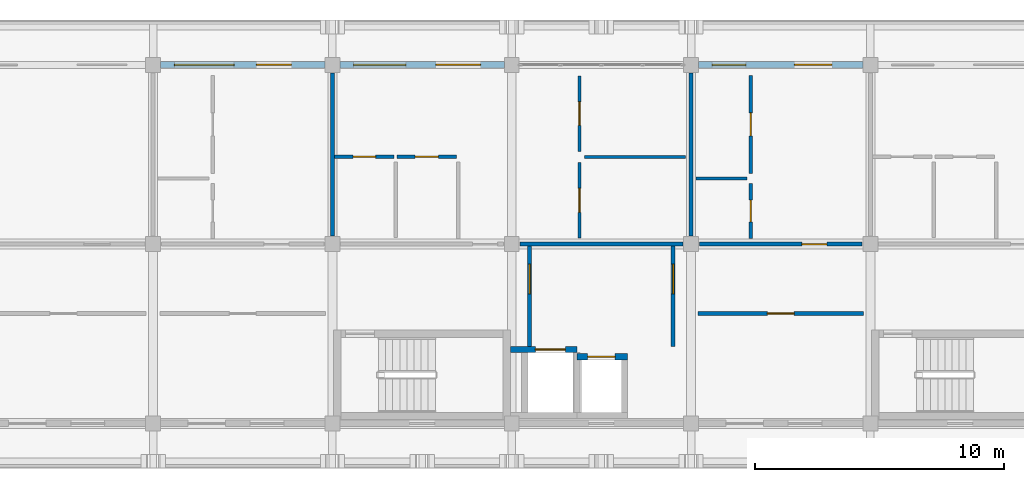
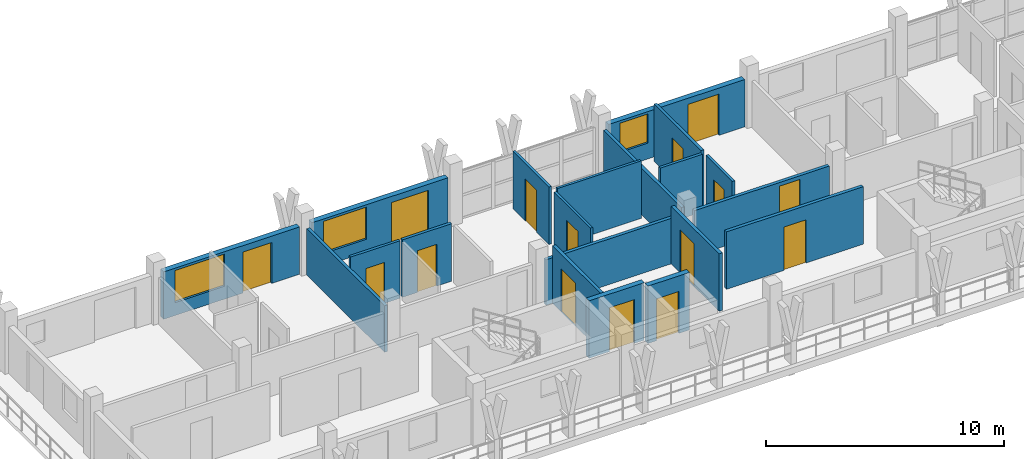
# One storey, part 58 of 78: 20 walls, 15 doors, 3 windows, 18 openings.
"""IFC4 building model written with IfcOpenShell, lengths in metres."""

from ifc_helpers import new_model, si_unit, direction, frame, frame_2d, origin, place, context, subcontext, project, spatial, rectangle, extrude, material, layer, layer_set, type_object, element, fill, save


model = new_model("IFC4")

# Units and contexts
model_context = context("Model", 3, precision=1e-05, world=origin(), true_north=direction((0.0, 1.0)))
body_context = subcontext(model_context, "Body", "Model", "MODEL_VIEW")
ifc_project = project(units=[si_unit("LENGTHUNIT", "METRE"), si_unit("AREAUNIT", "SQUARE_METRE"), si_unit("VOLUMEUNIT", "CUBIC_METRE"), si_unit("PLANEANGLEUNIT", "RADIAN"), si_unit("MASSUNIT", "GRAM", prefix="KILO")], contexts=[model_context])

# Site, building, storey
site_placement = place(None, origin())
site = spatial("IfcSite", under=ifc_project, at=site_placement, CompositionType="ELEMENT")
building_placement = place(site_placement, origin())
building = spatial("IfcBuilding", under=site, at=building_placement, Name="Suanplinth Sawtooth Commons", CompositionType="ELEMENT")
storey_placement = place(building_placement, frame((0.0, 0.0, 15.39990234375)))
storey = spatial("IfcBuildingStorey", under=building, at=storey_placement, Name="L04", CompositionType="ELEMENT", Elevation=15.39990234375)

# Wall, openings, door, window
ifc_material_1 = material(Name="Precast concrete C40/50", Category="concrete")
ifc_layer_1 = layer(ifc_material_1, 0.260009765625, Name="Insulated precast courtyard facade wall 260mm")
ifc_layer_set_1 = layer_set([ifc_layer_1], Name="Precast concrete C40/50")
wall_type_1 = type_object("IfcWallType", Name="W-EX02", PredefinedType="ELEMENTEDWALL", material=ifc_layer_set_1)
wall_1_placement = place(storey_placement, frame((129.89990234375, 122.39990234375, 0.0), z_axis=(0.0, 0.0, 1.0), x_axis=(1.0, 0.0, 0.0)))
wall_1 = element("IfcWall", 1, at=wall_1_placement, inside=storey, type_object=wall_type_1, Name="Facade Wall W-L04-B-N-18-16", PredefinedType="ELEMENTEDWALL", context=body_context, shape_type="SweptSolid", body=[
    extrude(rectangle(XDim=6.60009765625, YDim=0.260009765625, at=frame_2d((3.300048828125, 0.0))), origin(), (0.0, 0.0, 1.0), 2.43017578125),
])
opening_1_placement = place(wall_1_placement, frame((3.85009765625, 0.0, 0.0)))
opening_1 = element("IfcOpeningElement", 2, at=opening_1_placement, cuts=wall_1, Name="Opening ED0339", PredefinedType="OPENING", context=body_context, shape_type="SweptSolid", body=[
    extrude(rectangle(XDim=1.39990234375, YDim=2.10009765625, at=frame_2d((0.699951171875, 1.050048828125))), frame((0.0, 0.14501953125, 0.0), z_axis=(0.0, -1.0, 0.0), x_axis=(1.0, 0.0, 0.0)), (0.0, 0.0, 1.0), 0.289794921875),
])
opening_2_placement = place(wall_1_placement, frame((0.550048828125, 0.0, 0.659912109375)))
opening_2 = element("IfcOpeningElement", 3, at=opening_2_placement, cuts=wall_1, Name="Opening W0437", PredefinedType="OPENING", context=body_context, shape_type="SweptSolid", body=[
    extrude(rectangle(XDim=2.39990234375, YDim=1.64990234375, at=frame_2d((1.199951171875, 0.824951171875))), frame((0.0, 0.14501953125, 0.0), z_axis=(0.0, -1.0, 0.0), x_axis=(1.0, 0.0, 0.0)), (0.0, 0.0, 1.0), 0.289794921875),
])
ifc_material_2 = material(Name="Anodized aluminium and low-E glass", Category="aluminium")
door_type_1 = type_object("IfcDoorType", Name="SD-07", OperationType="SLIDING_TO_RIGHT", PredefinedType="DOOR", material=ifc_material_2)
door_1_placement = place(opening_1_placement, frame((1.39990234375, 0.0, 0.0), z_axis=(0.0, 0.0, 1.0), x_axis=(-1.0, 0.0, 0.0)))
door_1 = element("IfcDoor", 4, at=door_1_placement, inside=storey, type_object=door_type_1, Name="Balcony Sliding Door L04-B-18", OperationType="SLIDING_TO_RIGHT", OverallHeight=2.10009765625, OverallWidth=1.39990234375, PredefinedType="DOOR", context=body_context, shape_type="SweptSolid", body=[
    extrude(rectangle(XDim=1.39990234375, YDim=2.10009765625, at=frame_2d((0.699951171875, 1.050048828125))), frame((0.0, 0.02490234375, 0.0), z_axis=(0.0, -1.0, 0.0), x_axis=(1.0, 0.0, 0.0)), (0.0, 0.0, 1.0), 0.050048828125),
])
fill(opening_1, door_1)
ifc_material_3 = material(Name="Thermally broken aluminium and low-E double glazing", Category="aluminium")
window_type_1 = type_object("IfcWindowType", Name="WN-05", PartitioningType="TRIPLE_PANEL_VERTICAL", PredefinedType="WINDOW", material=ifc_material_3)
window_1_placement = place(opening_2_placement, origin())
window_1 = element("IfcWindow", 5, at=window_1_placement, inside=storey, type_object=window_type_1, Name="Apartment Window L04-B-18", OverallHeight=1.64990234375, OverallWidth=2.39990234375, PartitioningType="TRIPLE_PANEL_VERTICAL", PredefinedType="WINDOW", context=body_context, shape_type="SweptSolid", body=[
    extrude(rectangle(XDim=2.39990234375, YDim=1.64990234375, at=frame_2d((1.199951171875, 0.824951171875))), frame((0.0, 0.030029296875, 0.0), z_axis=(0.0, -1.0, 0.0), x_axis=(1.0, 0.0, 0.0)), (0.0, 0.0, 1.0), 0.06005859375),
])
fill(opening_2, window_1)

wall_2_placement = place(storey_placement, frame((137.10009765625, 122.39990234375, 0.0), z_axis=(0.0, 0.0, 1.0), x_axis=(1.0, 0.0, 0.0)))
wall_2 = element("IfcWall", 6, at=wall_2_placement, inside=storey, type_object=wall_type_1, Name="Facade Wall W-L04-B-N-19-16", PredefinedType="ELEMENTEDWALL", context=body_context, shape_type="SweptSolid", body=[
    extrude(rectangle(XDim=6.599853515625, YDim=0.260009765625, at=frame_2d((3.2998046875, 0.0))), origin(), (0.0, 0.0, 1.0), 2.43017578125),
])
opening_3_placement = place(wall_2_placement, frame((3.85009765625, 0.0, 0.0)))
opening_3 = element("IfcOpeningElement", 7, at=opening_3_placement, cuts=wall_2, Name="Opening ED0340", PredefinedType="OPENING", context=body_context, shape_type="SweptSolid", body=[
    extrude(rectangle(XDim=1.800048828125, YDim=2.1201171875, at=frame_2d((0.89990234375, 1.06005859375))), frame((0.0, 0.14501953125, 0.0), z_axis=(0.0, -1.0, 0.0), x_axis=(1.0, 0.0, 0.0)), (0.0, 0.0, 1.0), 0.289794921875),
])
opening_4_placement = place(wall_2_placement, frame((0.550048828125, 0.0, 0.659912109375)))
opening_4 = element("IfcOpeningElement", 8, at=opening_4_placement, cuts=wall_2, Name="Opening W0439", PredefinedType="OPENING", context=body_context, shape_type="SweptSolid", body=[
    extrude(rectangle(XDim=2.10009765625, YDim=1.64990234375, at=frame_2d((1.050048828125, 0.824951171875))), frame((0.0, 0.14501953125, 0.0), z_axis=(0.0, -1.0, 0.0), x_axis=(1.0, 0.0, 0.0)), (0.0, 0.0, 1.0), 0.289794921875),
])
door_type_2 = type_object("IfcDoorType", Name="SD-01", OperationType="SLIDING_TO_LEFT", PredefinedType="DOOR", material=ifc_material_2)
door_2_placement = place(opening_3_placement, frame((1.800048828125, 0.0, 0.0), z_axis=(0.0, 0.0, 1.0), x_axis=(-1.0, 0.0, 0.0)))
door_2 = element("IfcDoor", 9, at=door_2_placement, inside=storey, type_object=door_type_2, Name="Balcony Sliding Door L04-B-19", OperationType="SLIDING_TO_LEFT", OverallHeight=2.1201171875, OverallWidth=1.800048828125, PredefinedType="DOOR", context=body_context, shape_type="SweptSolid", body=[
    extrude(rectangle(XDim=1.800048828125, YDim=2.1201171875, at=frame_2d((0.89990234375, 1.06005859375))), frame((0.0, 0.02490234375, 0.0), z_axis=(0.0, -1.0, 0.0), x_axis=(1.0, 0.0, 0.0)), (0.0, 0.0, 1.0), 0.050048828125),
])
fill(opening_3, door_2)
window_type_2 = type_object("IfcWindowType", Name="WN-06", PartitioningType="DOUBLE_PANEL_VERTICAL", PredefinedType="WINDOW", material=ifc_material_3)
window_2_placement = place(opening_4_placement, origin())
window_2 = element("IfcWindow", 10, at=window_2_placement, inside=storey, type_object=window_type_2, Name="Apartment Window L04-B-19", OverallHeight=1.64990234375, OverallWidth=2.10009765625, PartitioningType="DOUBLE_PANEL_VERTICAL", PredefinedType="WINDOW", context=body_context, shape_type="SweptSolid", body=[
    extrude(rectangle(XDim=2.10009765625, YDim=1.64990234375, at=frame_2d((1.050048828125, 0.824951171875))), frame((0.0, 0.030029296875, 0.0), z_axis=(0.0, -1.0, 0.0), x_axis=(1.0, 0.0, 0.0)), (0.0, 0.0, 1.0), 0.06005859375),
])
fill(opening_4, window_2)

wall_3_placement = place(storey_placement, frame((151.5, 122.39990234375, 0.0), z_axis=(0.0, 0.0, 1.0), x_axis=(1.0, 0.0, 0.0)))
wall_3 = element("IfcWall", 11, at=wall_3_placement, inside=storey, type_object=wall_type_1, Name="Facade Wall W-L04-B-N-21-16", PredefinedType="ELEMENTEDWALL", context=body_context, shape_type="SweptSolid", body=[
    extrude(rectangle(XDim=6.60009765625, YDim=0.260009765625, at=frame_2d((3.300048828125, 0.0))), origin(), (0.0, 0.0, 1.0), 2.43017578125),
])
opening_5_placement = place(wall_3_placement, frame((3.85009765625, 0.0, 0.0)))
opening_5 = element("IfcOpeningElement", 12, at=opening_5_placement, cuts=wall_3, Name="Opening ED0342", PredefinedType="OPENING", context=body_context, shape_type="SweptSolid", body=[
    extrude(rectangle(XDim=1.5, YDim=2.1201171875, at=frame_2d((0.75, 1.06005859375))), frame((0.0, 0.14501953125, 0.0), z_axis=(0.0, -1.0, 0.0), x_axis=(1.0, 0.0, 0.0)), (0.0, 0.0, 1.0), 0.289794921875),
])
opening_6_placement = place(wall_3_placement, frame((0.550048828125, 0.0, 0.81005859375)))
opening_6 = element("IfcOpeningElement", 13, at=opening_6_placement, cuts=wall_3, Name="Opening W0442", PredefinedType="OPENING", context=body_context, shape_type="SweptSolid", body=[
    extrude(rectangle(XDim=1.35009765625, YDim=1.5, at=frame_2d((0.675048828125, 0.75))), frame((0.0, 0.14501953125, 0.0), z_axis=(0.0, -1.0, 0.0), x_axis=(1.0, 0.0, 0.0)), (0.0, 0.0, 1.0), 0.289794921875),
])
door_type_3 = type_object("IfcDoorType", Name="SD-03", OperationType="SLIDING_TO_LEFT", PredefinedType="DOOR", material=ifc_material_2)
door_3_placement = place(opening_5_placement, frame((1.5, 0.0, 0.0), z_axis=(0.0, 0.0, 1.0), x_axis=(-1.0, 0.0, 0.0)))
door_3 = element("IfcDoor", 14, at=door_3_placement, inside=storey, type_object=door_type_3, Name="Balcony Sliding Door L04-B-21", OperationType="SLIDING_TO_LEFT", OverallHeight=2.1201171875, OverallWidth=1.5, PredefinedType="DOOR", context=body_context, shape_type="SweptSolid", body=[
    extrude(rectangle(XDim=1.5, YDim=2.1201171875, at=frame_2d((0.75, 1.06005859375))), frame((0.0, 0.02490234375, 0.0), z_axis=(0.0, -1.0, 0.0), x_axis=(1.0, 0.0, 0.0)), (0.0, 0.0, 1.0), 0.050048828125),
])
fill(opening_5, door_3)
window_type_3 = type_object("IfcWindowType", Name="WN-14", PartitioningType="SINGLE_PANEL", PredefinedType="WINDOW", material=ifc_material_3)
window_3_placement = place(opening_6_placement, origin())
window_3 = element("IfcWindow", 15, at=window_3_placement, inside=storey, type_object=window_type_3, Name="Apartment Window L04-B-21", OverallHeight=1.5, OverallWidth=1.35009765625, PartitioningType="SINGLE_PANEL", PredefinedType="WINDOW", context=body_context, shape_type="SweptSolid", body=[
    extrude(rectangle(XDim=1.35009765625, YDim=1.5, at=frame_2d((0.675048828125, 0.75))), frame((0.0, 0.030029296875, 0.0), z_axis=(0.0, -1.0, 0.0), x_axis=(1.0, 0.0, 0.0)), (0.0, 0.0, 1.0), 0.06005859375),
])
fill(opening_6, window_3)

# Wall, opening, door
ifc_layer_2 = layer(ifc_material_1, 0.159912109375, Name="Fire-rated corridor and lobby wall 160mm")
ifc_layer_set_2 = layer_set([ifc_layer_2], Name="Precast concrete C40/50")
wall_type_2 = type_object("IfcWallType", Name="W-FW01", PredefinedType="PARTITIONING", material=ifc_layer_set_2)
wall_4_placement = place(storey_placement, frame((144.719970703125, 111.10009765625, 0.0), z_axis=(0.0, 0.0, 1.0), x_axis=(0.0, 1.0, 0.0)))
wall_4 = element("IfcWall", 16, at=wall_4_placement, inside=storey, type_object=wall_type_2, Name="W-L04-C-B1-LOB-W", PredefinedType="PARTITIONING", context=body_context, shape_type="SweptSolid", body=[
    extrude(rectangle(XDim=4.02001953125, YDim=0.159912109375, at=frame_2d((2.010009765625, 0.0))), origin(), (0.0, 0.0, 1.0), 2.9501953125),
])
opening_7_placement = place(wall_4_placement, frame((2.10009765625, 0.0, 0.0)))
opening_7 = element("IfcOpeningElement", 17, at=opening_7_placement, cuts=wall_4, Name="Opening FD0180", PredefinedType="OPENING", context=body_context, shape_type="SweptSolid", body=[
    extrude(rectangle(XDim=1.199951171875, YDim=2.199951171875, at=frame_2d((0.60009765625, 1.10009765625))), frame((0.0, 0.0947265625, 0.0), z_axis=(0.0, -1.0, 0.0), x_axis=(1.0, 0.0, 0.0)), (0.0, 0.0, 1.0), 0.189697265625),
])
ifc_material_4 = material(Name="Teak hardwood fire-rated door assembly", Category="wood")
door_type_4 = type_object("IfcDoorType", Name="FD-02", OperationType="NOTDEFINED", PredefinedType="DOOR", material=ifc_material_4)
door_4_placement = place(opening_7_placement, origin())
door_4 = element("IfcDoor", 18, at=door_4_placement, inside=storey, type_object=door_type_4, Name="Lobby Fire Door FD0180", OperationType="SINGLE_SWING_RIGHT", OverallHeight=2.199951171875, OverallWidth=1.199951171875, PredefinedType="DOOR", context=body_context, shape_type="SweptSolid", body=[
    extrude(rectangle(XDim=1.199951171875, YDim=2.199951171875, at=frame_2d((0.60009765625, 1.10009765625))), frame((0.0, 0.02490234375, 0.0), z_axis=(0.0, -1.0, 0.0), x_axis=(1.0, 0.0, 0.0)), (0.0, 0.0, 1.0), 0.050048828125),
])
fill(opening_7, door_4)

wall_5_placement = place(storey_placement, frame((150.47998046875, 111.10009765625, 0.0), z_axis=(0.0, 0.0, 1.0), x_axis=(0.0, 1.0, 0.0)))
wall_5 = element("IfcWall", 19, at=wall_5_placement, inside=storey, type_object=wall_type_2, Name="W-L04-C-B1-LOB-E", PredefinedType="PARTITIONING", context=body_context, shape_type="SweptSolid", body=[
    extrude(rectangle(XDim=4.02001953125, YDim=0.159912109375, at=frame_2d((2.010009765625, 0.0))), origin(), (0.0, 0.0, 1.0), 2.9501953125),
])
opening_8_placement = place(wall_5_placement, frame((2.10009765625, 0.0, 0.0)))
opening_8 = element("IfcOpeningElement", 20, at=opening_8_placement, cuts=wall_5, Name="Opening FD0181", PredefinedType="OPENING", context=body_context, shape_type="SweptSolid", body=[
    extrude(rectangle(XDim=1.199951171875, YDim=2.199951171875, at=frame_2d((0.60009765625, 1.10009765625))), frame((0.0, 0.0947265625, 0.0), z_axis=(0.0, -1.0, 0.0), x_axis=(1.0, 0.0, 0.0)), (0.0, 0.0, 1.0), 0.189697265625),
])
door_5_placement = place(opening_8_placement, frame((1.199951171875, 0.0, 0.0), z_axis=(0.0, 0.0, 1.0), x_axis=(-1.0, 0.0, 0.0)))
door_5 = element("IfcDoor", 21, at=door_5_placement, inside=storey, type_object=door_type_4, Name="Lobby Fire Door FD0181", OperationType="SINGLE_SWING_LEFT", OverallHeight=2.199951171875, OverallWidth=1.199951171875, PredefinedType="DOOR", context=body_context, shape_type="SweptSolid", body=[
    extrude(rectangle(XDim=1.199951171875, YDim=2.199951171875, at=frame_2d((0.60009765625, 1.10009765625))), frame((0.0, 0.02490234375, 0.0), z_axis=(0.0, -1.0, 0.0), x_axis=(1.0, 0.0, 0.0)), (0.0, 0.0, 1.0), 0.050048828125),
])
fill(opening_8, door_5)

# Wall
wall_6_placement = place(storey_placement, frame((144.330078125, 115.199951171875, 0.0), z_axis=(0.0, 0.0, 1.0), x_axis=(1.0, 0.0, 0.0)))
element("IfcWall", 22, at=wall_6_placement, inside=storey, type_object=wall_type_2, Name="W-B-L04-U03-COR-S2", PredefinedType="PARTITIONING", context=body_context, shape_type="SweptSolid", body=[
    extrude(rectangle(XDim=6.5400390625, YDim=0.159912109375, at=frame_2d((3.27001953125, 0.0))), origin(), (0.0, 0.0, 1.0), 2.335205078125),
])

# Wall, opening, door
wall_7_placement = place(storey_placement, frame((151.530029296875, 115.199951171875, 0.0), z_axis=(0.0, 0.0, 1.0), x_axis=(1.0, 0.0, 0.0)))
wall_7 = element("IfcWall", 23, at=wall_7_placement, inside=storey, type_object=wall_type_2, Name="W-B-L04-U04-COR", PredefinedType="PARTITIONING", context=body_context, shape_type="SweptSolid", body=[
    extrude(rectangle(XDim=6.5400390625, YDim=0.159912109375, at=frame_2d((3.27001953125, 0.0))), origin(), (0.0, 0.0, 1.0), 2.335205078125),
])
opening_9_placement = place(wall_7_placement, frame((4.1201171875, 0.0, 0.0)))
opening_9 = element("IfcOpeningElement", 24, at=opening_9_placement, cuts=wall_7, Name="Opening FD1104", PredefinedType="OPENING", context=body_context, shape_type="SweptSolid", body=[
    extrude(rectangle(XDim=1.0, YDim=2.14990234375, at=frame_2d((0.5, 1.074951171875))), frame((0.0, 0.0947265625, 0.0), z_axis=(0.0, -1.0, 0.0), x_axis=(1.0, 0.0, 0.0)), (0.0, 0.0, 1.0), 0.189697265625),
])
door_type_5 = type_object("IfcDoorType", Name="FD-03", OperationType="NOTDEFINED", PredefinedType="DOOR", material=ifc_material_4)
door_6_placement = place(opening_9_placement, origin())
door_6 = element("IfcDoor", 25, at=door_6_placement, inside=storey, type_object=door_type_5, Name="Unit Entrance Door FD1104", OperationType="SINGLE_SWING_RIGHT", OverallHeight=2.14990234375, OverallWidth=1.0, PredefinedType="DOOR", context=body_context, shape_type="SweptSolid", body=[
    extrude(rectangle(XDim=1.0, YDim=2.14990234375, at=frame_2d((0.5, 1.074951171875))), frame((0.0, 0.02490234375, 0.0), z_axis=(0.0, -1.0, 0.0), x_axis=(1.0, 0.0, 0.0)), (0.0, 0.0, 1.0), 0.050048828125),
])
fill(opening_9, door_6)

wall_8_placement = place(storey_placement, frame((151.47998046875, 112.419921875, 0.0), z_axis=(0.0, 0.0, 1.0), x_axis=(1.0, 0.0, 0.0)))
wall_8 = element("IfcWall", 26, at=wall_8_placement, inside=storey, type_object=wall_type_2, Name="W-B-L04-COURTROOM-33-COR", PredefinedType="PARTITIONING", context=body_context, shape_type="SweptSolid", body=[
    extrude(rectangle(XDim=6.64013671875, YDim=0.159912109375, at=frame_2d((3.320068359375, 0.0))), origin(), (0.0, 0.0, 1.0), 2.9501953125),
])
opening_10_placement = place(wall_8_placement, frame((2.780029296875, 0.0, 0.0)))
opening_10 = element("IfcOpeningElement", 27, at=opening_10_placement, cuts=wall_8, Name="Opening D1121", PredefinedType="OPENING", context=body_context, shape_type="SweptSolid", body=[
    extrude(rectangle(XDim=1.080078125, YDim=2.219970703125, at=frame_2d((0.5400390625, 1.10986328125))), frame((0.0, 0.0947265625, 0.0), z_axis=(0.0, -1.0, 0.0), x_axis=(1.0, 0.0, 0.0)), (0.0, 0.0, 1.0), 0.189697265625),
])
ifc_material_5 = material(Name="Teak hardwood", Category="wood")
door_type_6 = type_object("IfcDoorType", Name="D-17", OperationType="NOTDEFINED", PredefinedType="DOOR", material=ifc_material_5)
door_7_placement = place(opening_10_placement, frame((1.080078125, 0.0, 0.0), z_axis=(0.0, 0.0, 1.0), x_axis=(-1.0, 0.0, 0.0)))
door_7 = element("IfcDoor", 28, at=door_7_placement, inside=storey, type_object=door_type_6, Name="Study Studio Door D1121", OperationType="SINGLE_SWING_LEFT", OverallHeight=2.219970703125, OverallWidth=1.080078125, PredefinedType="DOOR", context=body_context, shape_type="SweptSolid", body=[
    extrude(rectangle(XDim=1.080078125, YDim=2.219970703125, at=frame_2d((0.5400390625, 1.10986328125))), frame((0.0, 0.02490234375, 0.0), z_axis=(0.0, -1.0, 0.0), x_axis=(1.0, 0.0, 0.0)), (0.0, 0.0, 1.0), 0.050048828125),
])
fill(opening_10, door_7)

# Walls
ifc_layer_3 = layer(ifc_material_1, 0.14990234375, Name="Acoustic precast party demising wall 150mm")
ifc_layer_set_3 = layer_set([ifc_layer_3], Name="Precast concrete C40/50")
wall_type_3 = type_object("IfcWallType", Name="W-FW02", PredefinedType="PARTITIONING", material=ifc_layer_set_3)
for number, where, z_axis, x_axis, name in (
    (29, (136.800048828125, 115.530029296875, 0.0), (0.0, 0.0, 1.0), (0.0, 1.0, 0.0), "W-B-L04-U02-PTY"),
    (30, (151.199951171875, 115.530029296875, 0.0), (0.0, 0.0, 1.0), (0.0, 1.0, 0.0), "W-B-L04-U03-PTY"),
):
    element("IfcWall", number, at=place(storey_placement, frame(where, z_axis=z_axis, x_axis=x_axis)), inside=storey, type_object=wall_type_3, Name=name, PredefinedType="PARTITIONING", context=body_context, shape_type="SweptSolid", body=[
        extrude(rectangle(XDim=6.5400390625, YDim=0.14990234375, at=frame_2d((3.27001953125, 0.0))), origin(), (0.0, 0.0, 1.0), 2.385009765625),
    ])

# Wall, opening, door
ifc_material_6 = material(Name="Gypsum plasterboard on steel stud", Category="steel")
ifc_layer_4 = layer(ifc_material_6, 0.139892578125, Name="Fire-rated kitchen partition 140mm")
ifc_layer_set_4 = layer_set([ifc_layer_4], Name="Gypsum plasterboard on steel stud")
wall_type_4 = type_object("IfcWallType", Name="W-PT01", PredefinedType="PARTITIONING", material=ifc_layer_set_4)
wall_9_placement = place(storey_placement, frame((139.39990234375, 118.7099609375, 0.0), z_axis=(0.0, 0.0, 1.0), x_axis=(1.0, 0.0, 0.0)))
wall_9 = element("IfcWall", 31, at=wall_9_placement, inside=storey, type_object=wall_type_4, Name="W-B-L04-U03-KIT1", PredefinedType="PARTITIONING", context=body_context, shape_type="SweptSolid", body=[
    extrude(rectangle(XDim=2.380126953125, YDim=0.139892578125, at=frame_2d((1.18994140625, 0.0))), origin(), (0.0, 0.0, 1.0), 2.9501953125),
])
opening_11_placement = place(wall_9_placement, frame((0.72509765625, 0.0, 0.0)))
opening_11 = element("IfcOpeningElement", 32, at=opening_11_placement, cuts=wall_9, Name="Opening D1101", PredefinedType="OPENING", context=body_context, shape_type="SweptSolid", body=[
    extrude(rectangle(XDim=0.929931640625, YDim=2.139892578125, at=frame_2d((0.46484375, 1.06982421875))), frame((0.0, 0.0849609375, 0.0), z_axis=(0.0, -1.0, 0.0), x_axis=(1.0, 0.0, 0.0)), (0.0, 0.0, 1.0), 0.169677734375),
])
door_type_7 = type_object("IfcDoorType", Name="D-19", OperationType="NOTDEFINED", PredefinedType="DOOR", material=ifc_material_5)
door_8_placement = place(opening_11_placement, frame((0.929931640625, 0.0, 0.0), z_axis=(0.0, 0.0, 1.0), x_axis=(-1.0, 0.0, 0.0)))
door_8 = element("IfcDoor", 33, at=door_8_placement, inside=storey, type_object=door_type_7, Name="Kitchen Door D1101", OperationType="SINGLE_SWING_LEFT", OverallHeight=2.139892578125, OverallWidth=0.929931640625, PredefinedType="DOOR", context=body_context, shape_type="SweptSolid", body=[
    extrude(rectangle(XDim=0.929931640625, YDim=2.139892578125, at=frame_2d((0.46484375, 1.06982421875))), frame((0.0, 0.02490234375, 0.0), z_axis=(0.0, -1.0, 0.0), x_axis=(1.0, 0.0, 0.0)), (0.0, 0.0, 1.0), 0.050048828125),
])
fill(opening_11, door_8)

wall_10_placement = place(storey_placement, frame((153.594970703125, 118.0400390625, 0.0), z_axis=(0.0, 0.0, 1.0), x_axis=(0.0, 1.0, 0.0)))
wall_10 = element("IfcWall", 34, at=wall_10_placement, inside=storey, type_object=wall_type_4, Name="W-B-L04-U04-KITE", PredefinedType="PARTITIONING", context=body_context, shape_type="SweptSolid", body=[
    extrude(rectangle(XDim=3.93994140625, YDim=0.139892578125, at=frame_2d((1.969970703125, 0.0))), origin(), (0.0, 0.0, 1.0), 2.9501953125),
])
opening_12_placement = place(wall_10_placement, frame((1.5048828125, 0.0, 0.0)))
opening_12 = element("IfcOpeningElement", 35, at=opening_12_placement, cuts=wall_10, Name="Opening D1106", PredefinedType="OPENING", context=body_context, shape_type="SweptSolid", body=[
    extrude(rectangle(XDim=0.929931640625, YDim=2.139892578125, at=frame_2d((0.46484375, 1.06982421875))), frame((0.0, 0.0849609375, 0.0), z_axis=(0.0, -1.0, 0.0), x_axis=(1.0, 0.0, 0.0)), (0.0, 0.0, 1.0), 0.169677734375),
])
door_9_placement = place(opening_12_placement, origin())
door_9 = element("IfcDoor", 36, at=door_9_placement, inside=storey, type_object=door_type_7, Name="Kitchen Door D1106", OperationType="SINGLE_SWING_RIGHT", OverallHeight=2.139892578125, OverallWidth=0.929931640625, PredefinedType="DOOR", context=body_context, shape_type="SweptSolid", body=[
    extrude(rectangle(XDim=0.929931640625, YDim=2.139892578125, at=frame_2d((0.46484375, 1.06982421875))), frame((0.0, 0.02490234375, 0.0), z_axis=(0.0, -1.0, 0.0), x_axis=(1.0, 0.0, 0.0)), (0.0, 0.0, 1.0), 0.050048828125),
])
fill(opening_12, door_9)

ifc_layer_5 = layer(ifc_material_6, 0.1298828125, Name="Moisture-resistant bathroom partition 130mm")
ifc_layer_set_5 = layer_set([ifc_layer_5], Name="Gypsum plasterboard on steel stud")
wall_type_5 = type_object("IfcWallType", Name="W-PT02", PredefinedType="PARTITIONING", material=ifc_layer_set_5)
wall_11_placement = place(storey_placement, frame((136.8798828125, 118.705078125, 0.0), z_axis=(0.0, 0.0, 1.0), x_axis=(1.0, 0.0, 0.0)))
wall_11 = element("IfcWall", 37, at=wall_11_placement, inside=storey, type_object=wall_type_5, Name="W-B-L04-U03-BTH1", PredefinedType="PARTITIONING", context=body_context, shape_type="SweptSolid", body=[
    extrude(rectangle(XDim=2.400146484375, YDim=0.1298828125, at=frame_2d((1.2001953125, 0.0))), origin(), (0.0, 0.0, 1.0), 2.9501953125),
])
opening_13_placement = place(wall_11_placement, frame((0.75, 0.0, 0.0)))
opening_13 = element("IfcOpeningElement", 38, at=opening_13_placement, cuts=wall_11, Name="Opening D1100", PredefinedType="OPENING", context=body_context, shape_type="SweptSolid", body=[
    extrude(rectangle(XDim=0.89990234375, YDim=2.10009765625, at=frame_2d((0.449951171875, 1.050048828125))), frame((0.0, 0.079833984375, 0.0), z_axis=(0.0, -1.0, 0.0), x_axis=(1.0, 0.0, 0.0)), (0.0, 0.0, 1.0), 0.15966796875),
])
door_type_8 = type_object("IfcDoorType", Name="D-01", OperationType="NOTDEFINED", PredefinedType="DOOR", material=ifc_material_5)
door_10_placement = place(opening_13_placement, frame((0.89990234375, 0.0, 0.0), z_axis=(0.0, 0.0, 1.0), x_axis=(-1.0, 0.0, 0.0)))
door_10 = element("IfcDoor", 39, at=door_10_placement, inside=storey, type_object=door_type_8, Name="Bathroom Door D1100", OperationType="SINGLE_SWING_RIGHT", OverallHeight=2.10009765625, OverallWidth=0.89990234375, PredefinedType="DOOR", context=body_context, shape_type="SweptSolid", body=[
    extrude(rectangle(XDim=0.89990234375, YDim=2.10009765625, at=frame_2d((0.449951171875, 1.050048828125))), frame((0.0, 0.02490234375, 0.0), z_axis=(0.0, -1.0, 0.0), x_axis=(1.0, 0.0, 0.0)), (0.0, 0.0, 1.0), 0.050048828125),
])
fill(opening_13, door_10)

# Wall
wall_12_placement = place(storey_placement, frame((151.39990234375, 117.840087890625, 0.0), z_axis=(0.0, 0.0, 1.0), x_axis=(1.0, 0.0, 0.0)))
element("IfcWall", 40, at=wall_12_placement, inside=storey, type_object=wall_type_5, Name="W-B-L04-U04-STDIV", PredefinedType="PARTITIONING", context=body_context, shape_type="SweptSolid", body=[
    extrude(rectangle(XDim=2.050048828125, YDim=0.1298828125, at=frame_2d((1.02490234375, 0.0))), origin(), (0.0, 0.0, 1.0), 2.9501953125),
])

# Wall, opening, door
wall_13_placement = place(storey_placement, frame((153.594970703125, 115.419921875, 0.0), z_axis=(0.0, 0.0, 1.0), x_axis=(0.0, 1.0, 0.0)))
wall_13 = element("IfcWall", 41, at=wall_13_placement, inside=storey, type_object=wall_type_5, Name="W-B-L04-U04-BTHE", PredefinedType="PARTITIONING", context=body_context, shape_type="SweptSolid", body=[
    extrude(rectangle(XDim=2.219970703125, YDim=0.1298828125, at=frame_2d((1.10986328125, 0.0))), origin(), (0.0, 0.0, 1.0), 2.9501953125),
])
opening_14_placement = place(wall_13_placement, frame((0.669921875, 0.0, 0.0)))
opening_14 = element("IfcOpeningElement", 42, at=opening_14_placement, cuts=wall_13, Name="Opening D1105", PredefinedType="OPENING", context=body_context, shape_type="SweptSolid", body=[
    extrude(rectangle(XDim=0.8798828125, YDim=2.10009765625, at=frame_2d((0.43994140625, 1.050048828125))), frame((0.0, 0.079833984375, 0.0), z_axis=(0.0, -1.0, 0.0), x_axis=(1.0, 0.0, 0.0)), (0.0, 0.0, 1.0), 0.15966796875),
])
door_type_9 = type_object("IfcDoorType", Name="D-14", OperationType="NOTDEFINED", PredefinedType="DOOR", material=ifc_material_5)
door_11_placement = place(opening_14_placement, origin())
door_11 = element("IfcDoor", 43, at=door_11_placement, inside=storey, type_object=door_type_9, Name="Bathroom Door D1105", OperationType="SINGLE_SWING_LEFT", OverallHeight=2.10009765625, OverallWidth=0.8798828125, PredefinedType="DOOR", context=body_context, shape_type="SweptSolid", body=[
    extrude(rectangle(XDim=0.8798828125, YDim=2.10009765625, at=frame_2d((0.43994140625, 1.050048828125))), frame((0.0, 0.02490234375, 0.0), z_axis=(0.0, -1.0, 0.0), x_axis=(1.0, 0.0, 0.0)), (0.0, 0.0, 1.0), 0.050048828125),
])
fill(opening_14, door_11)

ifc_layer_6 = layer(ifc_material_6, 0.1201171875, Name="Acoustic bedroom partition 120mm")
ifc_layer_set_6 = layer_set([ifc_layer_6], Name="Gypsum plasterboard on steel stud")
wall_type_6 = type_object("IfcWallType", Name="W-PT03", PredefinedType="PARTITIONING", material=ifc_layer_set_6)
wall_14_placement = place(storey_placement, frame((146.719970703125, 118.919921875, 0.0), z_axis=(0.0, 0.0, 1.0), x_axis=(0.0, 1.0, 0.0)))
wall_14 = element("IfcWall", 44, at=wall_14_placement, inside=storey, type_object=wall_type_6, Name="W-B-L04-U03-BED1", PredefinedType="PARTITIONING", context=body_context, shape_type="SweptSolid", body=[
    extrude(rectangle(XDim=3.0400390625, YDim=0.1201171875, at=frame_2d((1.52001953125, 0.0))), origin(), (0.0, 0.0, 1.0), 2.9501953125),
])
opening_15_placement = place(wall_14_placement, frame((1.044921875, 0.0, 0.0)))
opening_15 = element("IfcOpeningElement", 45, at=opening_15_placement, cuts=wall_14, Name="Opening D1102", PredefinedType="OPENING", context=body_context, shape_type="SweptSolid", body=[
    extrude(rectangle(XDim=0.949951171875, YDim=2.14990234375, at=frame_2d((0.47509765625, 1.074951171875))), frame((0.0, 0.074951171875, 0.0), z_axis=(0.0, -1.0, 0.0), x_axis=(1.0, 0.0, 0.0)), (0.0, 0.0, 1.0), 0.14990234375),
])
door_type_10 = type_object("IfcDoorType", Name="D-03", OperationType="NOTDEFINED", PredefinedType="DOOR", material=ifc_material_5)
door_12_placement = place(opening_15_placement, frame((0.949951171875, 0.0, 0.0), z_axis=(0.0, 0.0, 1.0), x_axis=(-1.0, 0.0, 0.0)))
door_12 = element("IfcDoor", 46, at=door_12_placement, inside=storey, type_object=door_type_10, Name="Bedroom Door D1102", OperationType="SINGLE_SWING_RIGHT", OverallHeight=2.14990234375, OverallWidth=0.949951171875, PredefinedType="DOOR", context=body_context, shape_type="SweptSolid", body=[
    extrude(rectangle(XDim=0.949951171875, YDim=2.14990234375, at=frame_2d((0.47509765625, 1.074951171875))), frame((0.0, 0.02490234375, 0.0), z_axis=(0.0, -1.0, 0.0), x_axis=(1.0, 0.0, 0.0)), (0.0, 0.0, 1.0), 0.050048828125),
])
fill(opening_15, door_12)

wall_15_placement = place(storey_placement, frame((146.719970703125, 115.43994140625, 0.0), z_axis=(0.0, 0.0, 1.0), x_axis=(0.0, 1.0, 0.0)))
wall_15 = element("IfcWall", 47, at=wall_15_placement, inside=storey, type_object=wall_type_6, Name="W-B-L04-U03-BED2", PredefinedType="PARTITIONING", context=body_context, shape_type="SweptSolid", body=[
    extrude(rectangle(XDim=3.0400390625, YDim=0.1201171875, at=frame_2d((1.52001953125, 0.0))), origin(), (0.0, 0.0, 1.0), 2.9501953125),
])
opening_16_placement = place(wall_15_placement, frame((1.0400390625, 0.0, 0.0)))
opening_16 = element("IfcOpeningElement", 48, at=opening_16_placement, cuts=wall_15, Name="Opening D1103", PredefinedType="OPENING", context=body_context, shape_type="SweptSolid", body=[
    extrude(rectangle(XDim=0.9599609375, YDim=2.14990234375, at=frame_2d((0.47998046875, 1.074951171875))), frame((0.0, 0.074951171875, 0.0), z_axis=(0.0, -1.0, 0.0), x_axis=(1.0, 0.0, 0.0)), (0.0, 0.0, 1.0), 0.14990234375),
])
door_type_11 = type_object("IfcDoorType", Name="D-13", OperationType="NOTDEFINED", PredefinedType="DOOR", material=ifc_material_5)
door_13_placement = place(opening_16_placement, frame((0.9599609375, 0.0, 0.0), z_axis=(0.0, 0.0, 1.0), x_axis=(-1.0, 0.0, 0.0)))
door_13 = element("IfcDoor", 49, at=door_13_placement, inside=storey, type_object=door_type_11, Name="Second Bedroom Door D1103", OperationType="SINGLE_SWING_LEFT", OverallHeight=2.14990234375, OverallWidth=0.9599609375, PredefinedType="DOOR", context=body_context, shape_type="SweptSolid", body=[
    extrude(rectangle(XDim=0.9599609375, YDim=2.14990234375, at=frame_2d((0.47998046875, 1.074951171875))), frame((0.0, 0.02490234375, 0.0), z_axis=(0.0, -1.0, 0.0), x_axis=(1.0, 0.0, 0.0)), (0.0, 0.0, 1.0), 0.050048828125),
])
fill(opening_16, door_13)

# Wall
ifc_layer_7 = layer(ifc_material_6, 0.125, Name="Acoustic study partition 125mm")
ifc_layer_set_7 = layer_set([ifc_layer_7], Name="Gypsum plasterboard on steel stud")
wall_type_7 = type_object("IfcWallType", Name="W-PT06", PredefinedType="PARTITIONING", material=ifc_layer_set_7)
wall_16_placement = place(storey_placement, frame((146.919921875, 118.699951171875, 0.0), z_axis=(0.0, 0.0, 1.0), x_axis=(1.0, 0.0, 0.0)))
element("IfcWall", 50, at=wall_16_placement, inside=storey, type_object=wall_type_7, Name="W-B-L04-U03-BEDDIV", PredefinedType="PARTITIONING", context=body_context, shape_type="SweptSolid", body=[
    extrude(rectangle(XDim=4.06005859375, YDim=0.125, at=frame_2d((2.030029296875, 0.0))), origin(), (0.0, 0.0, 1.0), 2.9501953125),
])

# Wall, opening, door
ifc_layer_8 = layer(ifc_material_1, 0.25, Name="Precast structural shear wall 250mm")
ifc_layer_set_8 = layer_set([ifc_layer_8], Name="Precast concrete C40/50")
wall_type_8 = type_object("IfcWallType", Name="W-SH01", PredefinedType="SHEAR", material=ifc_layer_set_8)
wall_17_placement = place(storey_placement, frame((143.949951171875, 110.97509765625, 0.0), z_axis=(0.0, 0.0, 1.0), x_axis=(1.0, 0.0, 0.0)))
wall_17 = element("IfcWall", 51, at=wall_17_placement, inside=storey, type_object=wall_type_8, Name="W-L04-FL2-N", PredefinedType="SHEAR", context=body_context, shape_type="SweptSolid", body=[
    extrude(rectangle(XDim=2.675048828125, YDim=0.25, at=frame_2d((1.33740234375, 0.0))), origin(), (0.0, 0.0, 1.0), 2.9501953125),
])
opening_17_placement = place(wall_17_placement, frame((1.0, 0.0, 0.0)))
opening_17 = element("IfcOpeningElement", 52, at=opening_17_placement, cuts=wall_17, Name="Opening LD0182", PredefinedType="OPENING", context=body_context, shape_type="SweptSolid", body=[
    extrude(rectangle(XDim=1.199951171875, YDim=2.25, at=frame_2d((0.60009765625, 1.125))), frame((0.0, 0.139892578125, 0.0), z_axis=(0.0, -1.0, 0.0), x_axis=(1.0, 0.0, 0.0)), (0.0, 0.0, 1.0), 0.27978515625),
])
ifc_material_7 = material(Name="Stainless steel Grade 304", Category="steel")
door_type_12 = type_object("IfcDoorType", Name="LD-02", OperationType="SLIDING_TO_LEFT", PredefinedType="DOOR", material=ifc_material_7)
door_14_placement = place(opening_17_placement, origin())
door_14 = element("IfcDoor", 53, at=door_14_placement, inside=storey, type_object=door_type_12, Name="Lift Landing Sliding Door FL2 L04", OperationType="SLIDING_TO_LEFT", OverallHeight=2.25, OverallWidth=1.199951171875, PredefinedType="DOOR", context=body_context, shape_type="SweptSolid", body=[
    extrude(rectangle(XDim=1.199951171875, YDim=2.25, at=frame_2d((0.60009765625, 1.125))), frame((0.0, 0.02490234375, 0.0), z_axis=(0.0, -1.0, 0.0), x_axis=(1.0, 0.0, 0.0)), (0.0, 0.0, 1.0), 0.050048828125),
])
fill(opening_17, door_14)

wall_18_placement = place(storey_placement, frame((146.625, 110.675048828125, 0.0), z_axis=(0.0, 0.0, 1.0), x_axis=(1.0, 0.0, 0.0)))
wall_18 = element("IfcWall", 54, at=wall_18_placement, inside=storey, type_object=wall_type_8, Name="W-L04-LF3-N", PredefinedType="SHEAR", context=body_context, shape_type="SweptSolid", body=[
    extrude(rectangle(XDim=2.02490234375, YDim=0.25, at=frame_2d((1.012451171875, 0.0))), origin(), (0.0, 0.0, 1.0), 2.9501953125),
])
opening_18_placement = place(wall_18_placement, frame((0.425048828125, 0.0, 0.0)))
opening_18 = element("IfcOpeningElement", 55, at=opening_18_placement, cuts=wall_18, Name="Opening LD0183", PredefinedType="OPENING", context=body_context, shape_type="SweptSolid", body=[
    extrude(rectangle(XDim=1.10009765625, YDim=2.14990234375, at=frame_2d((0.550048828125, 1.074951171875))), frame((0.0, 0.139892578125, 0.0), z_axis=(0.0, -1.0, 0.0), x_axis=(1.0, 0.0, 0.0)), (0.0, 0.0, 1.0), 0.27978515625),
])
door_type_13 = type_object("IfcDoorType", Name="LD-01", OperationType="SLIDING_TO_LEFT", PredefinedType="DOOR", material=ifc_material_7)
door_15_placement = place(opening_18_placement, origin())
door_15 = element("IfcDoor", 56, at=door_15_placement, inside=storey, type_object=door_type_13, Name="Lift Landing Sliding Door LF3 L04", OperationType="SLIDING_TO_LEFT", OverallHeight=2.14990234375, OverallWidth=1.10009765625, PredefinedType="DOOR", context=body_context, shape_type="SweptSolid", body=[
    extrude(rectangle(XDim=1.10009765625, YDim=2.14990234375, at=frame_2d((0.550048828125, 1.074951171875))), frame((0.0, 0.02490234375, 0.0), z_axis=(0.0, -1.0, 0.0), x_axis=(1.0, 0.0, 0.0)), (0.0, 0.0, 1.0), 0.050048828125),
])
fill(opening_18, door_15)

save(model, "model.ifc")
